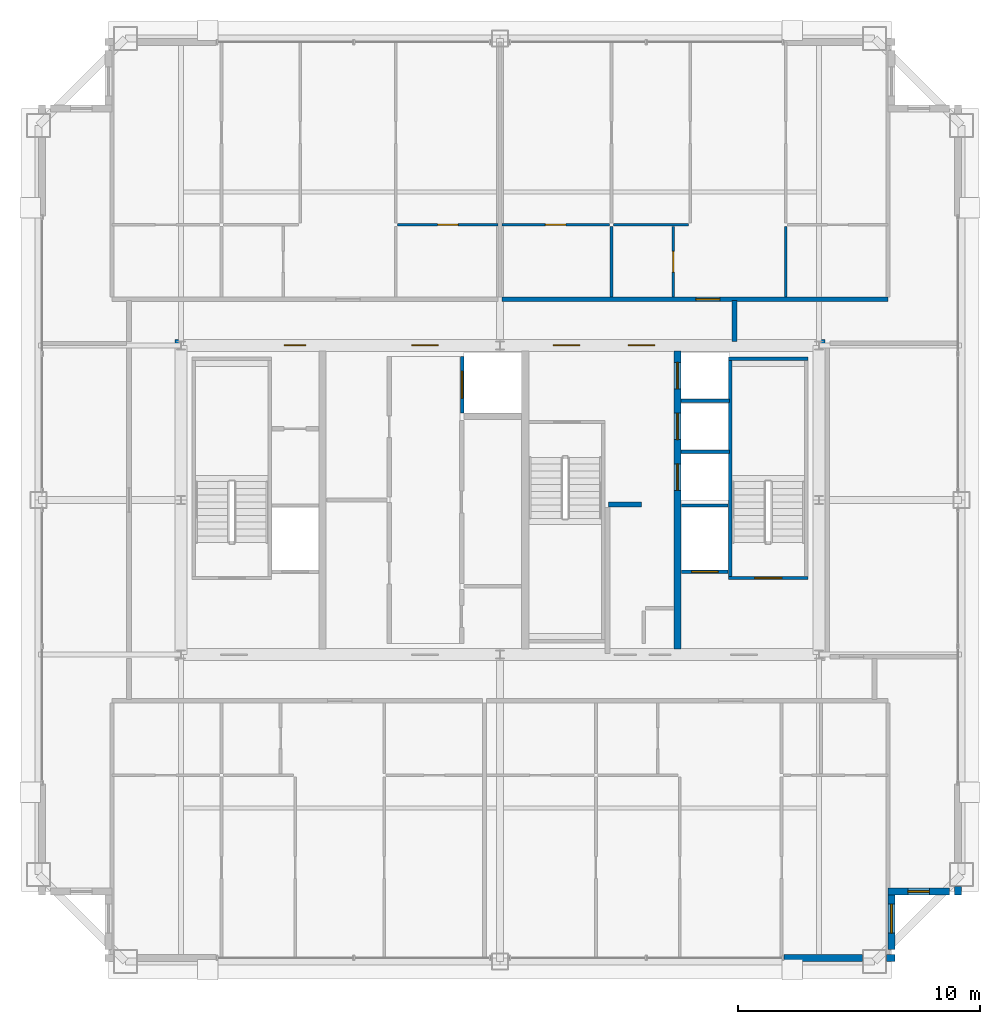
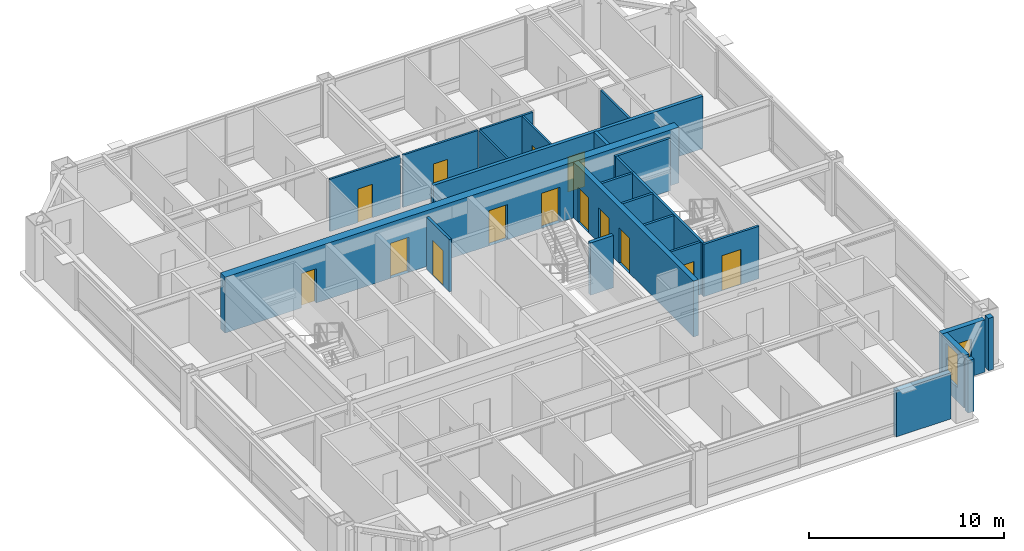
# One storey, part 32 of 35: 24 walls, 14 doors, 2 windows, 16 openings.
"""IFC4 building model written with IfcOpenShell, lengths in metres."""

from ifc_helpers import new_model, si_unit, direction, frame, frame_2d, origin, place, context, subcontext, project, spatial, rectangle, extrude, source, transform, mapped, material, layer, layer_set, type_object, element, fill, save


model = new_model("IFC4")

# Units and contexts
model_context = context("Model", 3, precision=1e-05, world=origin(), true_north=direction((0.0, 1.0)))
body_context = subcontext(model_context, "Body", "Model", "MODEL_VIEW")
ifc_project = project(units=[si_unit("LENGTHUNIT", "METRE"), si_unit("AREAUNIT", "SQUARE_METRE"), si_unit("VOLUMEUNIT", "CUBIC_METRE"), si_unit("PLANEANGLEUNIT", "RADIAN"), si_unit("MASSUNIT", "GRAM", prefix="KILO"), si_unit("THERMODYNAMICTEMPERATUREUNIT", "KELVIN"), si_unit("POWERUNIT", "WATT")], contexts=[model_context])

# Site, building, storey
site_placement = place(None, origin())
site = spatial("IfcSite", under=ifc_project, at=site_placement, CompositionType="ELEMENT")
building_placement = place(site_placement, origin())
building = spatial("IfcBuilding", under=site, at=building_placement, Name="Yuzanri Waterfront Tower", CompositionType="ELEMENT")
storey_placement = place(building_placement, frame((0.0, 0.0, 296.10009765625)))
storey = spatial("IfcBuildingStorey", under=building, at=storey_placement, Name="L79", CompositionType="ELEMENT", Elevation=296.10009765625)

# Wall, opening, door
ifc_material_1 = material(Name="Moisture-Resistant Gypsum Stud Wall", Category="gypsum")
ifc_layer_1 = layer(ifc_material_1, 0.1201171875)
ifc_layer_set_1 = layer_set([ifc_layer_1], Name="Moisture-Resistant Gypsum Stud Wall")
wall_type_1 = type_object("IfcWallType", Name="Bathroom and Kitchen Wet Partition 120", PredefinedType="PARTITIONING", material=ifc_layer_set_1)
wall_1_placement = place(storey_placement, frame((32.764892578125, 37.18994140625, 0.0), z_axis=(0.0, 0.0, 1.0), x_axis=(1.0, 0.0, 0.0)))
wall_1 = element("IfcWall", 1, at=wall_1_placement, inside=storey, type_object=wall_type_1, Name="L79 Partition UW-L79-HN1-SUB-3-N", PredefinedType="PARTITIONING", context=body_context, shape_type="SweptSolid", body=[
    extrude(rectangle(XDim=4.155029296875, YDim=0.1201171875, at=frame_2d((2.07763671875, 0.0))), origin(), (0.0, 0.0, 1.0), 3.27978515625),
])
opening_1_placement = place(wall_1_placement, frame((1.652587890625, 0.0, 0.0)))
opening_1 = element("IfcOpeningElement", 2, at=opening_1_placement, cuts=wall_1, Name="Opening ID-0850", PredefinedType="OPENING", context=body_context, shape_type="SweptSolid", body=[
    extrude(rectangle(XDim=0.85009765625, YDim=2.10009765625, at=frame_2d((0.425048828125, 1.050048828125))), frame((0.0, 0.074951171875, 0.0), z_axis=(0.0, -1.0, 0.0), x_axis=(1.0, 0.0, 0.0)), (0.0, 0.0, 1.0), 0.14990234375),
])
ifc_material_2 = material(Name="Moisture-Resistant Lacquered Timber", Category="wood")
door_type_1 = type_object("IfcDoorType", Name="En-Suite Bathroom and Kitchen Swing Door 850x2100", OperationType="NOTDEFINED", PredefinedType="DOOR", material=ifc_material_2)
shared_shape_1 = source(origin(), body_context, "Body", "SweptSolid", [
    extrude(rectangle(XDim=0.85009765625, YDim=2.10009765625, at=frame_2d((0.425048828125, 1.050048828125))), frame((0.0, 0.02490234375, 0.0), z_axis=(0.0, -1.0, 0.0), x_axis=(1.0, 0.0, 0.0)), (0.0, 0.0, 1.0), 0.050048828125),
])
door_1_placement = place(opening_1_placement, origin())
door_1 = element("IfcDoor", 3, at=door_1_placement, inside=storey, type_object=door_type_1, Name="L79 Suite Interior Room Door", OperationType="SINGLE_SWING_LEFT", OverallHeight=2.10009765625, OverallWidth=0.85009765625, PredefinedType="DOOR", context=body_context, shape_type="MappedRepresentation", body=[
    mapped(shared_shape_1, transform((0.0, 0.0, 0.0), scale=1.0)),
])
fill(opening_1, door_1)

wall_2_placement = place(storey_placement, frame((37.080078125, 37.18994140625, 0.0), z_axis=(0.0, 0.0, 1.0), x_axis=(1.0, 0.0, 0.0)))
wall_2 = element("IfcWall", 4, at=wall_2_placement, inside=storey, type_object=wall_type_1, Name="L79 Partition UW-L79-HN2-SUB-1-N", PredefinedType="PARTITIONING", context=body_context, shape_type="SweptSolid", body=[
    extrude(rectangle(XDim=4.449951171875, YDim=0.1201171875, at=frame_2d((2.22509765625, 0.0))), origin(), (0.0, 0.0, 1.0), 3.27978515625),
])
opening_2_placement = place(wall_2_placement, frame((1.800048828125, 0.0, 0.0)))
opening_2 = element("IfcOpeningElement", 5, at=opening_2_placement, cuts=wall_2, Name="Opening ID-0850", PredefinedType="OPENING", context=body_context, shape_type="SweptSolid", body=[
    extrude(rectangle(XDim=0.85009765625, YDim=2.10009765625, at=frame_2d((0.425048828125, 1.050048828125))), frame((0.0, 0.074951171875, 0.0), z_axis=(0.0, -1.0, 0.0), x_axis=(1.0, 0.0, 0.0)), (0.0, 0.0, 1.0), 0.14990234375),
])
door_2_placement = place(opening_2_placement, origin())
door_2 = element("IfcDoor", 6, at=door_2_placement, inside=storey, type_object=door_type_1, Name="L79 Suite Interior Room Door", OperationType="SINGLE_SWING_RIGHT", OverallHeight=2.10009765625, OverallWidth=0.85009765625, PredefinedType="DOOR", context=body_context, shape_type="MappedRepresentation", body=[
    mapped(shared_shape_1, transform((0.0, 0.0, 0.0), scale=1.0)),
])
fill(opening_2, door_2)

wall_3_placement = place(storey_placement, frame((44.169921875, 34.2099609375, 0.0), z_axis=(0.0, 0.0, 1.0), x_axis=(0.0, 1.0, 0.0)))
wall_3 = element("IfcWall", 7, at=wall_3_placement, inside=storey, type_object=wall_type_1, Name="L79 Partition UW-L79-HN2-SUB-2-E", PredefinedType="PARTITIONING", context=body_context, shape_type="SweptSolid", body=[
    extrude(rectangle(XDim=2.900146484375, YDim=0.1201171875, at=frame_2d((1.4501953125, 0.0))), origin(), (0.0, 0.0, 1.0), 3.27978515625),
])
opening_3_placement = place(wall_3_placement, frame((1.02490234375, 0.0, 0.0)))
opening_3 = element("IfcOpeningElement", 8, at=opening_3_placement, cuts=wall_3, Name="Opening ID-0850", PredefinedType="OPENING", context=body_context, shape_type="SweptSolid", body=[
    extrude(rectangle(XDim=0.85009765625, YDim=2.10009765625, at=frame_2d((0.425048828125, 1.050048828125))), frame((0.0, 0.074951171875, 0.0), z_axis=(0.0, -1.0, 0.0), x_axis=(1.0, 0.0, 0.0)), (0.0, 0.0, 1.0), 0.14990234375),
])
door_3_placement = place(opening_3_placement, origin())
door_3 = element("IfcDoor", 9, at=door_3_placement, inside=storey, type_object=door_type_1, Name="L79 Suite Interior Room Door", OperationType="SINGLE_SWING_LEFT", OverallHeight=2.10009765625, OverallWidth=0.85009765625, PredefinedType="DOOR", context=body_context, shape_type="MappedRepresentation", body=[
    mapped(shared_shape_1, transform((0.0, 0.0, 0.0), scale=1.0)),
])
fill(opening_3, door_3)

# Wall, opening, window
ifc_material_3 = material(Name="Honed Chongqing Dark Basalt Stone", Category="masonry")
ifc_layer_2 = layer(ifc_material_3, 0.300048828125)
ifc_layer_set_2 = layer_set([ifc_layer_2], Name="Honed Chongqing Dark Basalt Stone")
wall_type_2 = type_object("IfcWallType", Name="Bronze Rainscreen Insulated Spandrel Portal Wall 300", PredefinedType="SOLIDWALL", material=ifc_layer_set_2)
wall_4_placement = place(storey_placement, frame((53.050048828125, 9.60009765625, 0.0), z_axis=(0.0, 0.0, 1.0), x_axis=(1.0, 0.0, 0.0)))
wall_4 = element("IfcWall", 10, at=wall_4_placement, inside=storey, type_object=wall_type_2, Name="L79 Notched Corner Masonry Wall SE-X", PredefinedType="SOLIDWALL", context=body_context, shape_type="SweptSolid", body=[
    extrude(rectangle(XDim=2.550048828125, YDim=0.300048828125, at=frame_2d((1.27490234375, 0.0))), origin(), (0.0, 0.0, 1.0), 3.27978515625),
])
opening_4_placement = place(wall_4_placement, frame((0.824951171875, 0.0, 0.85009765625)))
opening_4 = element("IfcOpeningElement", 11, at=opening_4_placement, cuts=wall_4, Name="Opening WN-05", PredefinedType="OPENING", context=body_context, shape_type="SweptSolid", body=[
    extrude(rectangle(XDim=0.89990234375, YDim=1.5, at=frame_2d((0.449951171875, 0.75))), frame((0.0, 0.1650390625, 0.0), z_axis=(0.0, -1.0, 0.0), x_axis=(1.0, 0.0, 0.0)), (0.0, 0.0, 1.0), 0.329833984375),
])
ifc_material_4 = material(Name="Double-Silver Low-E Insulated Glass", Category="glass")
window_type_1 = type_object("IfcWindowType", Name="Anodized Bronze Service and Stairwell Smoke-Vent Window 900x1500", PartitioningType="SINGLE_PANEL", PredefinedType="WINDOW", material=ifc_material_4)
shared_shape_2 = source(origin(), body_context, "Body", "SweptSolid", [
    extrude(rectangle(XDim=0.89990234375, YDim=1.5, at=frame_2d((0.449951171875, 0.75))), frame((0.0, 0.030029296875, 0.0), z_axis=(0.0, -1.0, 0.0), x_axis=(1.0, 0.0, 0.0)), (0.0, 0.0, 1.0), 0.06005859375),
])
window_1_placement = place(opening_4_placement, origin())
window_1 = element("IfcWindow", 12, at=window_1_placement, inside=storey, type_object=window_type_1, Name="L79 Notched Corner Window SE-X", OverallHeight=1.5, OverallWidth=0.89990234375, PartitioningType="SINGLE_PANEL", PredefinedType="WINDOW", context=body_context, shape_type="MappedRepresentation", body=[
    mapped(shared_shape_2, transform((0.0, 0.0, 0.0), scale=1.0)),
])
fill(opening_4, window_1)

wall_5_placement = place(storey_placement, frame((53.199951171875, 7.199951171875, 0.0), z_axis=(0.0, 0.0, 1.0), x_axis=(0.0, 1.0, 0.0)))
wall_5 = element("IfcWall", 13, at=wall_5_placement, inside=storey, type_object=wall_type_2, Name="L79 Notched Corner Masonry Wall SE-Y", PredefinedType="SOLIDWALL", context=body_context, shape_type="SweptSolid", body=[
    extrude(rectangle(XDim=2.550048828125, YDim=0.300048828125, at=frame_2d((1.27490234375, 0.0))), origin(), (0.0, 0.0, 1.0), 3.27978515625),
])
opening_5_placement = place(wall_5_placement, frame((0.675048828125, 0.0, 0.85009765625)))
opening_5 = element("IfcOpeningElement", 14, at=opening_5_placement, cuts=wall_5, Name="Opening WN-02", PredefinedType="OPENING", context=body_context, shape_type="SweptSolid", body=[
    extrude(rectangle(XDim=1.199951171875, YDim=2.10009765625, at=frame_2d((0.60009765625, 1.050048828125))), frame((0.0, 0.1650390625, 0.0), z_axis=(0.0, -1.0, 0.0), x_axis=(1.0, 0.0, 0.0)), (0.0, 0.0, 1.0), 0.329833984375),
])
ifc_material_5 = material(Name="Double-Silver Low-E Insulated Glass", Category="glass")
window_type_2 = type_object("IfcWindowType", Name="Anodized Bronze Notched Corner Deep-Set Slot Window 1200x2100", PartitioningType="SINGLE_PANEL", PredefinedType="WINDOW", material=ifc_material_5)
shared_shape_3 = source(origin(), body_context, "Body", "SweptSolid", [
    extrude(rectangle(XDim=1.199951171875, YDim=2.10009765625, at=frame_2d((0.60009765625, 1.050048828125))), frame((0.0, 0.030029296875, 0.0), z_axis=(0.0, -1.0, 0.0), x_axis=(1.0, 0.0, 0.0)), (0.0, 0.0, 1.0), 0.06005859375),
])
window_2_placement = place(opening_5_placement, origin())
window_2 = element("IfcWindow", 15, at=window_2_placement, inside=storey, type_object=window_type_2, Name="L79 Notched Corner Window SE-Y", OverallHeight=2.10009765625, OverallWidth=1.199951171875, PartitioningType="SINGLE_PANEL", PredefinedType="WINDOW", context=body_context, shape_type="MappedRepresentation", body=[
    mapped(shared_shape_3, transform((0.0, 0.0, 0.0), scale=1.0)),
])
fill(opening_5, window_2)

# Wall, openings, doors
ifc_material_6 = material(Name="Concrete C45", Category="concrete")
ifc_layer_3 = layer(ifc_material_6, 0.47998046875)
ifc_layer_set_3 = layer_set([ifc_layer_3], Name="Concrete C45")
wall_type_3 = type_object("IfcWallType", Name="Concrete C45 High-Rise Core Shear Wall 480", PredefinedType="SHEAR", material=ifc_layer_set_3)
wall_6_placement = place(storey_placement, frame((23.56005859375, 32.199951171875, 0.0), z_axis=(0.0, 0.0, 1.0), x_axis=(1.0, 0.0, 0.0)))
wall_6 = element("IfcWall", 16, at=wall_6_placement, inside=storey, type_object=wall_type_3, Name="L79 Core North Shear Wall", PredefinedType="SHEAR", context=body_context, shape_type="SweptSolid", body=[
    extrude(rectangle(XDim=26.8798828125, YDim=0.47998046875, at=frame_2d((13.43994140625, 0.0))), origin(), (0.0, 0.0, 1.0), 3.5),
])
opening_6_placement = place(wall_6_placement, frame((4.510009765625, 0.0, 0.0)))
opening_6 = element("IfcOpeningElement", 17, at=opening_6_placement, cuts=wall_6, Name="Opening FD-0900", PredefinedType="OPENING", context=body_context, shape_type="SweptSolid", body=[
    extrude(rectangle(XDim=0.89990234375, YDim=2.14990234375, at=frame_2d((0.449951171875, 1.074951171875))), frame((0.0, 0.2548828125, 0.0), z_axis=(0.0, -1.0, 0.0), x_axis=(1.0, 0.0, 0.0)), (0.0, 0.0, 1.0), 0.509765625),
])
opening_7_placement = place(wall_6_placement, frame((9.7900390625, 0.0, 0.0)))
opening_7 = element("IfcOpeningElement", 18, at=opening_7_placement, cuts=wall_6, Name="Opening FD-1100", PredefinedType="OPENING", context=body_context, shape_type="SweptSolid", body=[
    extrude(rectangle(XDim=1.10009765625, YDim=2.199951171875, at=frame_2d((0.550048828125, 1.10009765625))), frame((0.0, 0.2548828125, 0.0), z_axis=(0.0, -1.0, 0.0), x_axis=(1.0, 0.0, 0.0)), (0.0, 0.0, 1.0), 0.509765625),
])
opening_8_placement = place(wall_6_placement, frame((15.639892578125, 0.0, 0.0)))
opening_8 = element("IfcOpeningElement", 19, at=opening_8_placement, cuts=wall_6, Name="Opening FD-1100", PredefinedType="OPENING", context=body_context, shape_type="SweptSolid", body=[
    extrude(rectangle(XDim=1.10009765625, YDim=2.199951171875, at=frame_2d((0.550048828125, 1.10009765625))), frame((0.0, 0.2548828125, 0.0), z_axis=(0.0, -1.0, 0.0), x_axis=(1.0, 0.0, 0.0)), (0.0, 0.0, 1.0), 0.509765625),
])
opening_9_placement = place(wall_6_placement, frame((18.739990234375, 0.0, 0.0)))
opening_9 = element("IfcOpeningElement", 20, at=opening_9_placement, cuts=wall_6, Name="Opening FD-1100", PredefinedType="OPENING", context=body_context, shape_type="SweptSolid", body=[
    extrude(rectangle(XDim=1.10009765625, YDim=2.199951171875, at=frame_2d((0.550048828125, 1.10009765625))), frame((0.0, 0.2548828125, 0.0), z_axis=(0.0, -1.0, 0.0), x_axis=(1.0, 0.0, 0.0)), (0.0, 0.0, 1.0), 0.509765625),
])
ifc_material_7 = material(Name="Painted Galvanized Fire Steel", Category="steel")
door_type_2 = type_object("IfcDoorType", Name="Smoke-Proof Stair and Lobby Fire Door 1100x2200", OperationType="NOTDEFINED", PredefinedType="DOOR", material=ifc_material_7)
shared_shape_4 = source(origin(), body_context, "Body", "SweptSolid", [
    extrude(rectangle(XDim=1.10009765625, YDim=2.199951171875, at=frame_2d((0.550048828125, 1.10009765625))), frame((0.0, 0.02490234375, 0.0), z_axis=(0.0, -1.0, 0.0), x_axis=(1.0, 0.0, 0.0)), (0.0, 0.0, 1.0), 0.050048828125),
])
door_4_placement = place(opening_7_placement, origin())
door_4 = element("IfcDoor", 21, at=door_4_placement, inside=storey, type_object=door_type_2, Name="L79 Central Lift Lobby North Door", OperationType="SINGLE_SWING_LEFT", OverallHeight=2.199951171875, OverallWidth=1.10009765625, PredefinedType="DOOR", context=body_context, shape_type="MappedRepresentation", body=[
    mapped(shared_shape_4, transform((0.0, 0.0, 0.0), scale=1.0)),
])
fill(opening_7, door_4)
door_5_placement = place(opening_8_placement, origin())
door_5 = element("IfcDoor", 22, at=door_5_placement, inside=storey, type_object=door_type_2, Name="L79 North Stair Lobby Door", OperationType="SINGLE_SWING_RIGHT", OverallHeight=2.199951171875, OverallWidth=1.10009765625, PredefinedType="DOOR", context=body_context, shape_type="MappedRepresentation", body=[
    mapped(shared_shape_4, transform((0.0, 0.0, 0.0), scale=1.0)),
])
fill(opening_8, door_5)
door_6_placement = place(opening_9_placement, origin())
door_6 = element("IfcDoor", 23, at=door_6_placement, inside=storey, type_object=door_type_2, Name="L79 High-Rise Lift Lobby North Door", OperationType="SINGLE_SWING_LEFT", OverallHeight=2.199951171875, OverallWidth=1.10009765625, PredefinedType="DOOR", context=body_context, shape_type="MappedRepresentation", body=[
    mapped(shared_shape_4, transform((0.0, 0.0, 0.0), scale=1.0)),
])
fill(opening_9, door_6)
ifc_material_8 = material(Name="Painted Galvanized Fire Steel", Category="steel")
door_type_3 = type_object("IfcDoorType", Name="Riser and Service Room Fire Door 900x2150", OperationType="NOTDEFINED", PredefinedType="DOOR", material=ifc_material_8)
shared_shape_5 = source(origin(), body_context, "Body", "SweptSolid", [
    extrude(rectangle(XDim=0.89990234375, YDim=2.14990234375, at=frame_2d((0.449951171875, 1.074951171875))), frame((0.0, 0.02490234375, 0.0), z_axis=(0.0, -1.0, 0.0), x_axis=(1.0, 0.0, 0.0)), (0.0, 0.0, 1.0), 0.050048828125),
])
door_7_placement = place(opening_6_placement, origin())
door_7 = element("IfcDoor", 24, at=door_7_placement, inside=storey, type_object=door_type_3, Name="L79 Telecom Riser Door", OperationType="SINGLE_SWING_RIGHT", OverallHeight=2.14990234375, OverallWidth=0.89990234375, PredefinedType="DOOR", context=body_context, shape_type="MappedRepresentation", body=[
    mapped(shared_shape_5, transform((0.0, 0.0, 0.0), scale=1.0)),
])
fill(opening_6, door_7)

ifc_material_9 = material(Name="Concrete C50", Category="concrete")
ifc_layer_4 = layer(ifc_material_9, 0.300048828125)
ifc_layer_set_4 = layer_set([ifc_layer_4], Name="Concrete C50")
wall_type_4 = type_object("IfcWallType", Name="Concrete C50 Internal Core Shaft Structural Wall 300", PredefinedType="SOLIDWALL", material=ifc_layer_set_4)
wall_7_placement = place(storey_placement, frame((44.35009765625, 19.639892578125, 0.0), z_axis=(0.0, 0.0, 1.0), x_axis=(0.0, 1.0, 0.0)))
wall_7 = element("IfcWall", 25, at=wall_7_placement, inside=storey, type_object=wall_type_4, Name="L79 Core Internal Structural Web Wall 3", PredefinedType="SOLIDWALL", context=body_context, shape_type="SweptSolid", body=[
    extrude(rectangle(XDim=12.320068359375, YDim=0.300048828125, at=frame_2d((6.16015625, 0.0))), origin(), (0.0, 0.0, 1.0), 3.5),
])
opening_10_placement = place(wall_7_placement, frame((6.56005859375, 0.0, 0.0)))
opening_10 = element("IfcOpeningElement", 26, at=opening_10_placement, cuts=wall_7, Name="Opening LD-PL-09", PredefinedType="OPENING", context=body_context, shape_type="SweptSolid", body=[
    extrude(rectangle(XDim=1.10009765625, YDim=2.199951171875, at=frame_2d((0.550048828125, 1.10009765625))), frame((0.0, 0.1650390625, 0.0), z_axis=(0.0, -1.0, 0.0), x_axis=(1.0, 0.0, 0.0)), (0.0, 0.0, 1.0), 0.329833984375),
])
opening_11_placement = place(wall_7_placement, frame((8.659912109375, 0.0, 0.0)))
opening_11 = element("IfcOpeningElement", 27, at=opening_11_placement, cuts=wall_7, Name="Opening LD-PL-10", PredefinedType="OPENING", context=body_context, shape_type="SweptSolid", body=[
    extrude(rectangle(XDim=1.10009765625, YDim=2.199951171875, at=frame_2d((0.550048828125, 1.10009765625))), frame((0.0, 0.1650390625, 0.0), z_axis=(0.0, -1.0, 0.0), x_axis=(1.0, 0.0, 0.0)), (0.0, 0.0, 1.0), 0.329833984375),
])
opening_12_placement = place(wall_7_placement, frame((10.760009765625, 0.0, 0.0)))
opening_12 = element("IfcOpeningElement", 28, at=opening_12_placement, cuts=wall_7, Name="Opening LD-PL-11", PredefinedType="OPENING", context=body_context, shape_type="SweptSolid", body=[
    extrude(rectangle(XDim=1.10009765625, YDim=2.199951171875, at=frame_2d((0.550048828125, 1.10009765625))), frame((0.0, 0.1650390625, 0.0), z_axis=(0.0, -1.0, 0.0), x_axis=(1.0, 0.0, 0.0)), (0.0, 0.0, 1.0), 0.329833984375),
])
ifc_material_10 = material(Name="Brushed Bronze and Stainless Steel Cab", Category="steel")
door_type_4 = type_object("IfcDoorType", Name="Center-Parting Bronze Lift Landing Sliding Door 1100x2200", OperationType="NOTDEFINED", PredefinedType="DOOR", material=ifc_material_10)
shared_shape_6 = source(origin(), body_context, "Body", "SweptSolid", [
    extrude(rectangle(XDim=1.10009765625, YDim=2.199951171875, at=frame_2d((0.550048828125, 1.10009765625))), frame((0.0, 0.02490234375, 0.0), z_axis=(0.0, -1.0, 0.0), x_axis=(1.0, 0.0, 0.0)), (0.0, 0.0, 1.0), 0.050048828125),
])
door_8_placement = place(opening_10_placement, origin())
door_8 = element("IfcDoor", 29, at=door_8_placement, inside=storey, type_object=door_type_4, Name="L79 PL-09 Lift Landing Sliding Door", OperationType="SLIDING_TO_LEFT", OverallHeight=2.199951171875, OverallWidth=1.10009765625, PredefinedType="DOOR", context=body_context, shape_type="MappedRepresentation", body=[
    mapped(shared_shape_6, transform((0.0, 0.0, 0.0), scale=1.0)),
])
fill(opening_10, door_8)
door_9_placement = place(opening_11_placement, origin())
door_9 = element("IfcDoor", 30, at=door_9_placement, inside=storey, type_object=door_type_4, Name="L79 PL-10 Lift Landing Sliding Door", OperationType="SLIDING_TO_RIGHT", OverallHeight=2.199951171875, OverallWidth=1.10009765625, PredefinedType="DOOR", context=body_context, shape_type="MappedRepresentation", body=[
    mapped(shared_shape_6, transform((0.0, 0.0, 0.0), scale=1.0)),
])
fill(opening_11, door_9)
door_10_placement = place(opening_12_placement, origin())
door_10 = element("IfcDoor", 31, at=door_10_placement, inside=storey, type_object=door_type_4, Name="L79 PL-11 Lift Landing Sliding Door", OperationType="SLIDING_TO_LEFT", OverallHeight=2.199951171875, OverallWidth=1.10009765625, PredefinedType="DOOR", context=body_context, shape_type="MappedRepresentation", body=[
    mapped(shared_shape_6, transform((0.0, 0.0, 0.0), scale=1.0)),
])
fill(opening_12, door_10)

# Wall, opening, door
ifc_material_11 = material(Name="Concrete C40", Category="concrete")
ifc_layer_5 = layer(ifc_material_11, 0.139892578125)
ifc_layer_set_5 = layer_set([ifc_layer_5], Name="Concrete C40")
wall_type_5 = type_object("IfcWallType", Name="Core Stair Liner and Hoistway Shaft Wall 140", PredefinedType="SOLIDWALL", material=ifc_layer_set_5)
wall_8_placement = place(storey_placement, frame((44.52001953125, 22.830078125, 0.0), z_axis=(0.0, 0.0, 1.0), x_axis=(1.0, 0.0, 0.0)))
wall_8 = element("IfcWall", 32, at=wall_8_placement, inside=storey, type_object=wall_type_5, Name="L79 Lift FL-02 Front Shaft Wall", PredefinedType="SOLIDWALL", context=body_context, shape_type="SweptSolid", body=[
    extrude(rectangle(XDim=1.919921875, YDim=0.139892578125, at=frame_2d((0.9599609375, 0.0))), origin(), (0.0, 0.0, 1.0), 3.27978515625),
])
opening_13_placement = place(wall_8_placement, frame((0.409912109375, 0.0, 0.0)))
opening_13 = element("IfcOpeningElement", 33, at=opening_13_placement, cuts=wall_8, Name="Opening LD-FL-02", PredefinedType="OPENING", context=body_context, shape_type="SweptSolid", body=[
    extrude(rectangle(XDim=1.10009765625, YDim=2.199951171875, at=frame_2d((0.550048828125, 1.10009765625))), frame((0.0, 0.0849609375, 0.0), z_axis=(0.0, -1.0, 0.0), x_axis=(1.0, 0.0, 0.0)), (0.0, 0.0, 1.0), 0.169677734375),
])
door_11_placement = place(opening_13_placement, origin())
door_11 = element("IfcDoor", 34, at=door_11_placement, inside=storey, type_object=door_type_4, Name="L79 FL-02 Lift Landing Sliding Door", OperationType="SLIDING_TO_RIGHT", OverallHeight=2.199951171875, OverallWidth=1.10009765625, PredefinedType="DOOR", context=body_context, shape_type="MappedRepresentation", body=[
    mapped(shared_shape_6, transform((0.0, 0.0, 0.0), scale=1.0)),
])
fill(opening_13, door_11)

wall_9_placement = place(storey_placement, frame((35.429931640625, 29.39990234375, 0.0), z_axis=(0.0, 0.0, 1.0), x_axis=(0.0, 1.0, 0.0)))
wall_9 = element("IfcWall", 35, at=wall_9_placement, inside=storey, type_object=wall_type_5, Name="L79 Lift SL-02 Front Shaft Wall", PredefinedType="SOLIDWALL", context=body_context, shape_type="SweptSolid", body=[
    extrude(rectangle(XDim=2.340087890625, YDim=0.139892578125, at=frame_2d((1.169921875, 0.0))), origin(), (0.0, 0.0, 1.0), 3.27978515625),
])
opening_14_placement = place(wall_9_placement, frame((0.6201171875, 0.0, 0.0)))
opening_14 = element("IfcOpeningElement", 36, at=opening_14_placement, cuts=wall_9, Name="Opening LD-SL-02", PredefinedType="OPENING", context=body_context, shape_type="SweptSolid", body=[
    extrude(rectangle(XDim=1.10009765625, YDim=2.199951171875, at=frame_2d((0.550048828125, 1.10009765625))), frame((0.0, 0.0849609375, 0.0), z_axis=(0.0, -1.0, 0.0), x_axis=(1.0, 0.0, 0.0)), (0.0, 0.0, 1.0), 0.169677734375),
])
door_12_placement = place(opening_14_placement, origin())
door_12 = element("IfcDoor", 37, at=door_12_placement, inside=storey, type_object=door_type_4, Name="L79 SL-02 Lift Landing Sliding Door", OperationType="SLIDING_TO_RIGHT", OverallHeight=2.199951171875, OverallWidth=1.10009765625, PredefinedType="DOOR", context=body_context, shape_type="MappedRepresentation", body=[
    mapped(shared_shape_6, transform((0.0, 0.0, 0.0), scale=1.0)),
])
fill(opening_14, door_12)

wall_10_placement = place(storey_placement, frame((46.4599609375, 22.570068359375, 0.0), z_axis=(0.0, 0.0, 1.0), x_axis=(1.0, 0.0, 0.0)))
wall_10 = element("IfcWall", 38, at=wall_10_placement, inside=storey, type_object=wall_type_5, Name="L79 Shaft Wall STW-L79-ST-02-S", PredefinedType="SOLIDWALL", context=body_context, shape_type="SweptSolid", body=[
    extrude(rectangle(XDim=3.280029296875, YDim=0.139892578125, at=frame_2d((1.64013671875, 0.0))), origin(), (0.0, 0.0, 1.0), 3.27978515625),
])
opening_15_placement = place(wall_10_placement, frame((1.090087890625, 0.0, 0.0)))
opening_15 = element("IfcOpeningElement", 39, at=opening_15_placement, cuts=wall_10, Name="Opening FD-1100", PredefinedType="OPENING", context=body_context, shape_type="SweptSolid", body=[
    extrude(rectangle(XDim=1.10009765625, YDim=2.199951171875, at=frame_2d((0.550048828125, 1.10009765625))), frame((0.0, 0.0849609375, 0.0), z_axis=(0.0, -1.0, 0.0), x_axis=(1.0, 0.0, 0.0)), (0.0, 0.0, 1.0), 0.169677734375),
])
door_13_placement = place(opening_15_placement, origin())
door_13 = element("IfcDoor", 40, at=door_13_placement, inside=storey, type_object=door_type_2, Name="L79 Stair ST-02 Fire Door", OperationType="SINGLE_SWING_LEFT", OverallHeight=2.199951171875, OverallWidth=1.10009765625, PredefinedType="DOOR", context=body_context, shape_type="MappedRepresentation", body=[
    mapped(shared_shape_4, transform((0.0, 0.0, 0.0), scale=1.0)),
])
fill(opening_15, door_13)

ifc_material_12 = material(Name="Autoclaved Aerated Concrete Blockwork", Category="masonry")
ifc_layer_6 = layer(ifc_material_12, 0.199951171875)
ifc_layer_set_6 = layer_set([ifc_layer_6], Name="Autoclaved Aerated Concrete Blockwork")
wall_type_6 = type_object("IfcWallType", Name="Corridor and Unit Party Fire Wall 200", PredefinedType="PARTITIONING", material=ifc_layer_set_6)
wall_11_placement = place(storey_placement, frame((37.080078125, 34.110107421875, 0.0), z_axis=(0.0, 0.0, 1.0), x_axis=(1.0, 0.0, 0.0)))
wall_11 = element("IfcWall", 41, at=wall_11_placement, inside=storey, type_object=wall_type_6, Name="L79 Partition UW-L79-HN2-CS", PredefinedType="PARTITIONING", context=body_context, shape_type="SweptSolid", body=[
    extrude(rectangle(XDim=15.97998046875, YDim=0.199951171875, at=frame_2d((7.989990234375, 0.0))), origin(), (0.0, 0.0, 1.0), 3.27978515625),
])
opening_16_placement = place(wall_11_placement, frame((8.02197265625, 0.0, 0.0)))
opening_16 = element("IfcOpeningElement", 42, at=opening_16_placement, cuts=wall_11, Name="Opening FD-1000", PredefinedType="OPENING", context=body_context, shape_type="SweptSolid", body=[
    extrude(rectangle(XDim=1.0, YDim=2.199951171875, at=frame_2d((0.5, 1.10009765625))), frame((0.0, 0.11474609375, 0.0), z_axis=(0.0, -1.0, 0.0), x_axis=(1.0, 0.0, 0.0)), (0.0, 0.0, 1.0), 0.229736328125),
])
ifc_material_13 = material(Name="Engineered Oak Fire-Rated Timber", Category="wood")
door_type_5 = type_object("IfcDoorType", Name="Guestroom and Apartment Entrance Fire Door 1000x2200", OperationType="NOTDEFINED", PredefinedType="DOOR", material=ifc_material_13)
shared_shape_7 = source(origin(), body_context, "Body", "SweptSolid", [
    extrude(rectangle(XDim=1.0, YDim=2.199951171875, at=frame_2d((0.5, 1.10009765625))), frame((0.0, 0.02490234375, 0.0), z_axis=(0.0, -1.0, 0.0), x_axis=(1.0, 0.0, 0.0)), (0.0, 0.0, 1.0), 0.050048828125),
])
door_14_placement = place(opening_16_placement, origin())
door_14 = element("IfcDoor", 43, at=door_14_placement, inside=storey, type_object=door_type_5, Name="L79 Apartment Living and Dining Salon Entrance Door", OperationType="SINGLE_SWING_LEFT", OverallHeight=2.199951171875, OverallWidth=1.0, PredefinedType="DOOR", context=body_context, shape_type="MappedRepresentation", body=[
    mapped(shared_shape_7, transform((0.0, 0.0, 0.0), scale=1.0)),
])
fill(opening_16, door_14)

# Walls
shared_shape_8 = source(origin(), body_context, "Body", "SweptSolid", [
    extrude(rectangle(XDim=0.35009765625, YDim=0.300048828125, at=frame_2d((0.175048828125, 0.0))), origin(), (0.0, 0.0, 1.0), 3.27978515625),
])
for number, where, z_axis, x_axis, name in (
    (44, (53.0, 6.85009765625, 0.0), (0.0, 0.0, 1.0), (1.0, 0.0, 0.0), "L79 Corner Column Shoulder Return CSE"),
    (45, (55.949951171875, 9.449951171875, 0.0), (0.0, 0.0, 1.0), (0.0, 1.0, 0.0), "L79 Corner Column Shoulder Return CES"),
):
    element("IfcWall", number, at=place(storey_placement, frame(where, z_axis=z_axis, x_axis=x_axis)), inside=storey, type_object=wall_type_2, Name=name, PredefinedType="SOLIDWALL", context=body_context, shape_type="MappedRepresentation", body=[
        mapped(shared_shape_8, transform((0.0, 0.0, 0.0), scale=1.0)),
    ])
shared_shape_9 = source(origin(), body_context, "Body", "SweptSolid", [
    extrude(rectangle(XDim=3.25, YDim=0.300048828125, at=frame_2d((1.625, 0.0))), origin(), (0.0, 0.0, 1.0), 2.885009765625),
])
wall_12_placement = place(storey_placement, frame((48.75, 6.85009765625, 0.0), z_axis=(0.0, 0.0, 1.0), x_axis=(1.0, 0.0, 0.0)))
element("IfcWall", 46, at=wall_12_placement, inside=storey, type_object=wall_type_2, Name="L79 S Right Braced Masonry Shoulder", PredefinedType="SOLIDWALL", context=body_context, shape_type="MappedRepresentation", body=[
    mapped(shared_shape_9, transform((0.0, 0.0, 0.0), scale=1.0)),
])
shared_shape_10 = source(origin(), body_context, "Body", "SweptSolid", [
    extrude(rectangle(XDim=1.919921875, YDim=0.139892578125, at=frame_2d((0.9599609375, 0.0))), origin(), (0.0, 0.0, 1.0), 3.27978515625),
])
wall_13_placement = place(storey_placement, frame((44.52001953125, 25.570068359375, 0.0), z_axis=(0.0, 0.0, 1.0), x_axis=(1.0, 0.0, 0.0)))
element("IfcWall", 47, at=wall_13_placement, inside=storey, type_object=wall_type_5, Name="L79 Lift FL-02 Back Shaft Wall", PredefinedType="SOLIDWALL", context=body_context, shape_type="MappedRepresentation", body=[
    mapped(shared_shape_10, transform((0.0, 0.0, 0.0), scale=1.0)),
])
shared_shape_11 = source(origin(), body_context, "Body", "SweptSolid", [
    extrude(rectangle(XDim=2.0, YDim=0.139892578125, at=frame_2d((1.0, 0.0))), origin(), (0.0, 0.0, 1.0), 3.27978515625),
])
for number, where, z_axis, x_axis, name in (
    (48, (44.5, 27.800048828125, 0.0), (0.0, 0.0, 1.0), (1.0, 0.0, 0.0), "L79 Lift PL-09 Divider Wall"),
    (49, (44.5, 29.89990234375, 0.0), (0.0, 0.0, 1.0), (1.0, 0.0, 0.0), "L79 Lift PL-10 Divider Wall"),
):
    element("IfcWall", number, at=place(storey_placement, frame(where, z_axis=z_axis, x_axis=x_axis)), inside=storey, type_object=wall_type_5, Name=name, PredefinedType="SOLIDWALL", context=body_context, shape_type="MappedRepresentation", body=[
        mapped(shared_shape_11, transform((0.0, 0.0, 0.0), scale=1.0)),
    ])
shared_shape_12 = source(origin(), body_context, "Body", "SweptSolid", [
    extrude(rectangle(XDim=3.280029296875, YDim=0.139892578125, at=frame_2d((1.64013671875, 0.0))), origin(), (0.0, 0.0, 1.0), 3.27978515625),
])
wall_14_placement = place(storey_placement, frame((46.4599609375, 31.64990234375, 0.0), z_axis=(0.0, 0.0, 1.0), x_axis=(1.0, 0.0, 0.0)))
element("IfcWall", 50, at=wall_14_placement, inside=storey, type_object=wall_type_5, Name="L79 Stair ST-02 North Shaft Wall", PredefinedType="SOLIDWALL", context=body_context, shape_type="MappedRepresentation", body=[
    mapped(shared_shape_12, transform((0.0, 0.0, 0.0), scale=1.0)),
])
shared_shape_13 = source(origin(), body_context, "Body", "SweptSolid", [
    extrude(rectangle(XDim=8.940185546875, YDim=0.139892578125, at=frame_2d((4.47021484375, 0.0))), origin(), (0.0, 0.0, 1.0), 3.27978515625),
])
wall_15_placement = place(storey_placement, frame((46.530029296875, 22.639892578125, 0.0), z_axis=(0.0, 0.0, 1.0), x_axis=(0.0, 1.0, 0.0)))
element("IfcWall", 51, at=wall_15_placement, inside=storey, type_object=wall_type_5, Name="L79 Stair ST-02 West Shaft Wall", PredefinedType="SOLIDWALL", context=body_context, shape_type="MappedRepresentation", body=[
    mapped(shared_shape_13, transform((0.0, 0.0, 0.0), scale=1.0)),
])
shared_shape_14 = source(origin(), body_context, "Body", "SweptSolid", [
    extrude(rectangle(XDim=1.35009765625, YDim=0.199951171875, at=frame_2d((0.675048828125, 0.0))), origin(), (0.0, 0.0, 1.0), 3.27978515625),
])
wall_16_placement = place(storey_placement, frame((41.5, 25.6201171875, 0.0), z_axis=(0.0, 0.0, 1.0), x_axis=(1.0, 0.0, 0.0)))
element("IfcWall", 52, at=wall_16_placement, inside=storey, type_object=wall_type_6, Name="L79 Core BOH Split Wall 1", PredefinedType="PARTITIONING", context=body_context, shape_type="MappedRepresentation", body=[
    mapped(shared_shape_14, transform((0.0, 0.0, 0.0), scale=1.0)),
])
shared_shape_15 = source(origin(), body_context, "Body", "SweptSolid", [
    extrude(rectangle(XDim=1.699951171875, YDim=0.199951171875, at=frame_2d((0.85009765625, 0.0))), origin(), (0.0, 0.0, 1.0), 3.27978515625),
])
wall_17_placement = place(storey_placement, frame((46.699951171875, 32.35009765625, 0.0), z_axis=(0.0, 0.0, 1.0), x_axis=(0.0, 1.0, 0.0)))
element("IfcWall", 53, at=wall_17_placement, inside=storey, type_object=wall_type_6, Name="L79 North Foyer East End Wall", PredefinedType="PARTITIONING", context=body_context, shape_type="MappedRepresentation", body=[
    mapped(shared_shape_15, transform((0.0, 0.0, 0.0), scale=1.0)),
])
shared_shape_16 = source(origin(), body_context, "Body", "SweptSolid", [
    extrude(rectangle(XDim=2.900146484375, YDim=0.1201171875, at=frame_2d((1.4501953125, 0.0))), origin(), (0.0, 0.0, 1.0), 3.27978515625),
])
for number, where, z_axis, x_axis, name in (
    (54, (41.610107421875, 34.2099609375, 0.0), (0.0, 0.0, 1.0), (0.0, 1.0, 0.0), "L79 Partition UW-L79-HN2-SUB-1-E"),
    (55, (48.824951171875, 34.2099609375, 0.0), (0.0, 0.0, 1.0), (0.0, 1.0, 0.0), "L79 Partition UW-L79-HN2-SUB-3-W"),
):
    element("IfcWall", number, at=place(storey_placement, frame(where, z_axis=z_axis, x_axis=x_axis)), inside=storey, type_object=wall_type_1, Name=name, PredefinedType="PARTITIONING", context=body_context, shape_type="MappedRepresentation", body=[
        mapped(shared_shape_16, transform((0.0, 0.0, 0.0), scale=1.0)),
    ])
shared_shape_17 = source(origin(), body_context, "Body", "SweptSolid", [
    extrude(rectangle(XDim=3.10400390625, YDim=0.1201171875, at=frame_2d((1.552001953125, 0.0))), origin(), (0.0, 0.0, 1.0), 3.27978515625),
])
wall_18_placement = place(storey_placement, frame((41.68994140625, 37.18994140625, 0.0), z_axis=(0.0, 0.0, 1.0), x_axis=(1.0, 0.0, 0.0)))
element("IfcWall", 56, at=wall_18_placement, inside=storey, type_object=wall_type_1, Name="L79 Partition UW-L79-HN2-SUB-6-S", PredefinedType="PARTITIONING", context=body_context, shape_type="MappedRepresentation", body=[
    mapped(shared_shape_17, transform((0.0, 0.0, 0.0), scale=1.0)),
])

save(model, "model.ifc")
